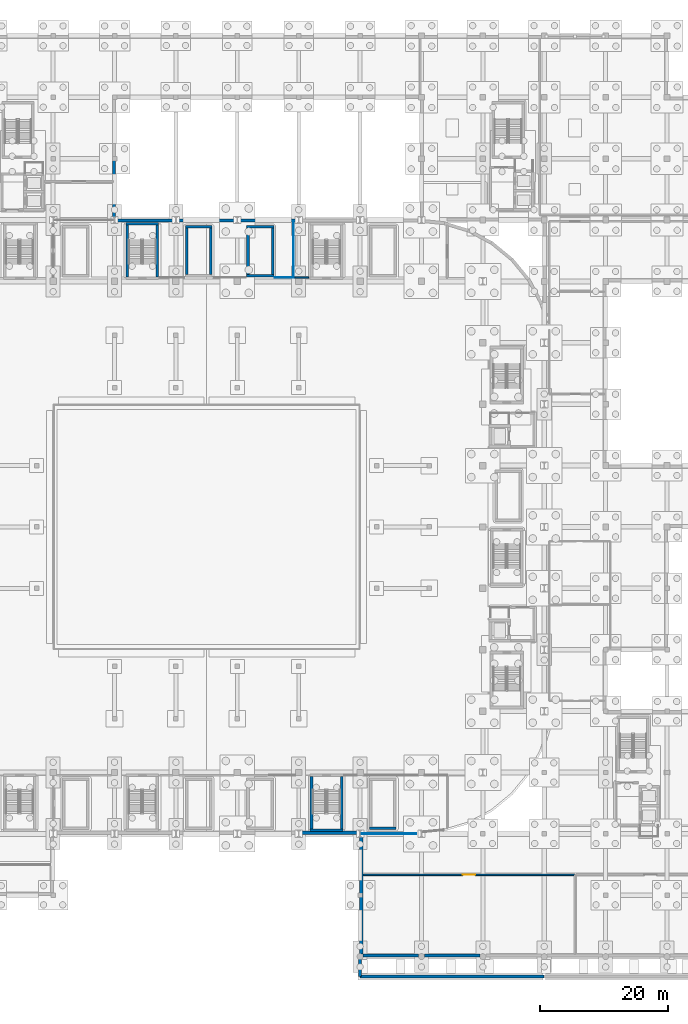
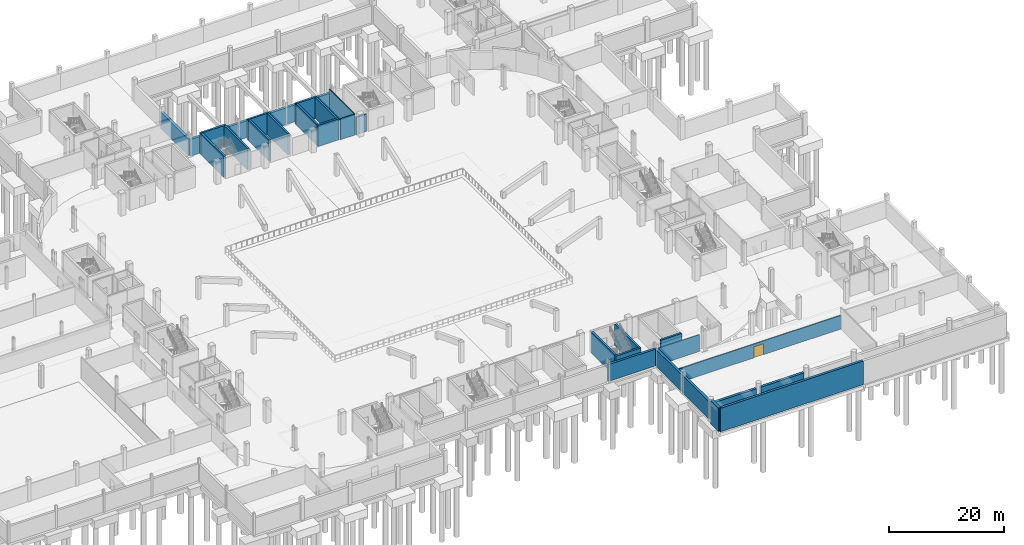
# One storey, part 31 of 67: 30 walls, 1 door, 1 opening.
"""IFC4 building model written with IfcOpenShell, lengths in metres."""

from ifc_helpers import new_model, si_unit, direction, frame, frame_2d, origin, place, context, subcontext, project, spatial, rectangle, extrude, material, layer, layer_set, type_object, element, fill, save


model = new_model("IFC4")

# Units and contexts
model_context = context("Model", 3, precision=1e-05, world=origin(), true_north=direction((0.0, 1.0)))
body_context = subcontext(model_context, "Body", "Model", "MODEL_VIEW")
ifc_project = project(units=[si_unit("LENGTHUNIT", "METRE"), si_unit("AREAUNIT", "SQUARE_METRE"), si_unit("VOLUMEUNIT", "CUBIC_METRE"), si_unit("PLANEANGLEUNIT", "RADIAN"), si_unit("MASSUNIT", "GRAM", prefix="KILO")], contexts=[model_context])

# Site, building, storey
site_placement = place(None, origin())
site = spatial("IfcSite", under=ifc_project, at=site_placement, CompositionType="ELEMENT")
building_placement = place(site_placement, origin())
building = spatial("IfcBuilding", under=site, at=building_placement, Name="Caelomonte Colonnade Arena", CompositionType="ELEMENT")
storey_placement = place(building_placement, frame((0.0, 0.0, -4.800048828125)))
storey = spatial("IfcBuildingStorey", under=building, at=storey_placement, Name="B1", CompositionType="ELEMENT", Elevation=-4.800048828125)

# Walls
ifc_material_1 = material(Name="Concrete C40/50", Category="concrete")
ifc_layer_1 = layer(ifc_material_1, 0.47998046875)
ifc_layer_set_1 = layer_set([ifc_layer_1], Name="Concrete C40/50")
wall_type_1 = type_object("IfcWallType", Name="ENV-WL-RET48", PredefinedType="USERDEFINED", material=ifc_layer_set_1)
wall_1_placement = place(storey_placement, frame((134.39990234375, -3.10009765625, -0.449951171875), z_axis=(0.0, 0.0, 1.0), x_axis=(0.0, 1.0, 0.0)))
element("IfcWall", 1, at=wall_1_placement, inside=storey, type_object=wall_type_1, Name="Portico forecourt stepped retaining plinth wall RW-V3-PLINTH-W", ObjectType="RETAINING WALL", PredefinedType="USERDEFINED", context=body_context, shape_type="SweptSolid", body=[
    extrude(rectangle(XDim=2.85009765625, YDim=0.47998046875, at=frame_2d((1.425048828125, 0.0))), origin(), (0.0, 0.0, 1.0), 5.030029296875),
])
wall_2_placement = place(storey_placement, frame((134.39990234375, -3.10009765625, -0.449951171875), z_axis=(0.0, 0.0, 1.0), x_axis=(1.0, 0.0, 0.0)))
element("IfcWall", 2, at=wall_2_placement, inside=storey, type_object=wall_type_1, Name="Portico forecourt stepped retaining plinth wall RW-V3-PLINTH-S1", ObjectType="RETAINING WALL", PredefinedType="USERDEFINED", context=body_context, shape_type="SweptSolid", body=[
    extrude(rectangle(XDim=28.800048828125, YDim=0.47998046875, at=frame_2d((14.39990234375, 0.0))), origin(), (0.0, 0.0, 1.0), 5.030029296875),
])
wall_3_placement = place(storey_placement, frame((124.800048828125, 19.3798828125, 0.0), z_axis=(0.0, 0.0, 1.0), x_axis=(1.0, 0.0, 0.0)))
element("IfcWall", 3, at=wall_3_placement, inside=storey, type_object=wall_type_1, Name="B1 exterior retaining plinth wall EW-B1-0016", ObjectType="RETAINING WALL", PredefinedType="USERDEFINED", context=body_context, shape_type="SweptSolid", body=[
    extrude(rectangle(XDim=9.599853515625, YDim=0.47998046875, at=frame_2d((4.7998046875, 0.0))), origin(), (0.0, 0.0, 1.0), 3.572998046875),
])
wall_4_placement = place(storey_placement, frame((134.580078125, 19.550048828125, 0.0), z_axis=(0.0, 0.0, 1.0), x_axis=(0.0, -1.0, 0.0)))
element("IfcWall", 4, at=wall_4_placement, inside=storey, type_object=wall_type_1, Name="B1 exterior retaining plinth wall EW-B1-0017", ObjectType="RETAINING WALL", PredefinedType="USERDEFINED", context=body_context, shape_type="SweptSolid", body=[
    extrude(rectangle(XDim=9.949951171875, YDim=0.47998046875, at=frame_2d((4.97509765625, 0.0))), origin(), (0.0, 0.0, 1.0), 3.572998046875),
])
wall_5_placement = place(storey_placement, frame((134.580078125, 9.60009765625, 0.0), z_axis=(0.0, 0.0, 1.0), x_axis=(0.0, -1.0, 0.0)))
element("IfcWall", 5, at=wall_5_placement, inside=storey, type_object=wall_type_1, Name="B1 exterior retaining plinth wall EW-B1-0018", ObjectType="RETAINING WALL", PredefinedType="USERDEFINED", context=body_context, shape_type="SweptSolid", body=[
    extrude(rectangle(XDim=9.14501953125, YDim=0.47998046875, at=frame_2d((4.572509765625, 0.0))), origin(), (0.0, 0.0, 1.0), 3.699951171875),
])
for number, where, z_axis, x_axis, name in (
    (6, (134.85498046875, 0.179931640625, 0.0), (0.0, 0.0, 1.0), (1.0, 0.0, 0.0), "B1 exterior retaining plinth wall EW-B1-0019"),
    (7, (144.455078125, 0.179931640625, 0.0), (0.0, 0.0, 1.0), (1.0, 0.0, 0.0), "B1 exterior retaining plinth wall EW-B1-0020"),
):
    element("IfcWall", number, at=place(storey_placement, frame(where, z_axis=z_axis, x_axis=x_axis)), inside=storey, type_object=wall_type_1, Name=name, ObjectType="RETAINING WALL", PredefinedType="USERDEFINED", context=body_context, shape_type="SweptSolid", body=[
        extrude(rectangle(XDim=8.68994140625, YDim=0.47998046875, at=frame_2d((4.344970703125, 0.0))), origin(), (0.0, 0.0, 1.0), 3.572998046875),
    ])
wall_6_placement = place(storey_placement, frame((124.800048828125, 115.1201171875, 0.0), z_axis=(0.0, 0.0, 1.0), x_axis=(-1.0, 0.0, 0.0)))
element("IfcWall", 8, at=wall_6_placement, inside=storey, type_object=wall_type_1, Name="B1 exterior retaining plinth wall EW-B1-0105", ObjectType="RETAINING WALL", PredefinedType="USERDEFINED", context=body_context, shape_type="SweptSolid", body=[
    extrude(rectangle(XDim=9.60009765625, YDim=0.47998046875, at=frame_2d((4.800048828125, 0.0))), origin(), (0.0, 0.0, 1.0), 3.572998046875),
])
wall_7_placement = place(storey_placement, frame((115.199951171875, 115.1201171875, 0.0), z_axis=(0.0, 0.0, 1.0), x_axis=(-1.0, 0.0, 0.0)))
element("IfcWall", 9, at=wall_7_placement, inside=storey, type_object=wall_type_1, Name="B1 exterior retaining plinth wall EW-B1-0106", ObjectType="RETAINING WALL", PredefinedType="USERDEFINED", context=body_context, shape_type="SweptSolid", body=[
    extrude(rectangle(XDim=9.599853515625, YDim=0.47998046875, at=frame_2d((4.7998046875, 0.0))), origin(), (0.0, 0.0, 1.0), 3.572998046875),
])
for number, where, z_axis, x_axis, name in (
    (10, (105.60009765625, 115.1201171875, 0.0), (0.0, 0.0, 1.0), (-1.0, 0.0, 0.0), "B1 exterior retaining plinth wall EW-B1-0107"),
    (11, (95.919921875, 115.199951171875, 0.0), (0.0, 0.0, 1.0), (0.0, 1.0, 0.0), "B1 exterior retaining plinth wall EW-B1-0108"),
):
    element("IfcWall", number, at=place(storey_placement, frame(where, z_axis=z_axis, x_axis=x_axis)), inside=storey, type_object=wall_type_1, Name=name, ObjectType="RETAINING WALL", PredefinedType="USERDEFINED", context=body_context, shape_type="SweptSolid", body=[
        extrude(rectangle(XDim=9.60009765625, YDim=0.47998046875, at=frame_2d((4.800048828125, 0.0))), origin(), (0.0, 0.0, 1.0), 3.572998046875),
    ])
ifc_material_2 = material(Name="Office gypsum stud partition")
ifc_layer_2 = layer(ifc_material_2, 0.1201171875)
ifc_layer_set_2 = layer_set([ifc_layer_2], Name="Office gypsum stud partition")
wall_type_2 = type_object("IfcWallType", Name="INT-WL-PT12", PredefinedType="PARTITIONING", material=ifc_layer_set_2)
wall_8_placement = place(storey_placement, frame((124.0, 114.97998046875, 0.0), z_axis=(0.0, 0.0, 1.0), x_axis=(0.0, -1.0, 0.0)))
element("IfcWall", 12, at=wall_8_placement, inside=storey, type_object=wall_type_2, Name="B1 Backstage Rigging Staging partition 13", PredefinedType="PARTITIONING", context=body_context, shape_type="SweptSolid", body=[
    extrude(rectangle(XDim=8.780029296875, YDim=0.1201171875, at=frame_2d((4.39013671875, 0.0))), origin(), (0.0, 0.0, 1.0), 4.5),
])
wall_9_placement = place(storey_placement, frame((124.0, 106.199951171875, 0.0), z_axis=(0.0, 0.0, 1.0), x_axis=(-1.0, 0.0, 0.0)))
element("IfcWall", 13, at=wall_9_placement, inside=storey, type_object=wall_type_2, Name="B1 Backstage Rigging Staging partition 14", PredefinedType="PARTITIONING", context=body_context, shape_type="SweptSolid", body=[
    extrude(rectangle(XDim=2.91064453125, YDim=0.1201171875, at=frame_2d((1.455322265625, 0.0))), origin(), (0.0, 0.0, 1.0), 4.5),
])
ifc_material_3 = material(Name="Suite demising stud partition")
ifc_layer_3 = layer(ifc_material_3, 0.139892578125)
ifc_layer_set_3 = layer_set([ifc_layer_3], Name="Suite demising stud partition")
wall_type_3 = type_object("IfcWallType", Name="INT-WL-PT14", PredefinedType="PARTITIONING", material=ifc_layer_set_3)
wall_10_placement = place(storey_placement, frame((143.179931640625, 19.199951171875, 0.0), z_axis=(0.0, 0.0, 1.0), x_axis=(-1.0, 0.0, 0.0)))
element("IfcWall", 14, at=wall_10_placement, inside=storey, type_object=wall_type_3, Name="B1 Officials Locker Suite partition 12", PredefinedType="PARTITIONING", context=body_context, shape_type="SweptSolid", body=[
    extrude(rectangle(XDim=8.531494140625, YDim=0.139892578125, at=frame_2d((4.265625, 0.0))), origin(), (0.0, 0.0, 1.0), 3.572998046875),
])
ifc_material_4 = material(Name="Acoustic masonry blockwork", Category="masonry")
ifc_layer_4 = layer(ifc_material_4, 0.219970703125)
ifc_layer_set_4 = layer_set([ifc_layer_4], Name="Acoustic masonry blockwork")
wall_type_4 = type_object("IfcWallType", Name="INT-WL-PT22", PredefinedType="PARTITIONING", material=ifc_layer_set_4)
wall_11_placement = place(storey_placement, frame((126.35009765625, 106.199951171875, 0.0), z_axis=(0.0, 0.0, 1.0), x_axis=(-1.0, 0.0, 0.0)))
element("IfcWall", 15, at=wall_11_placement, inside=storey, type_object=wall_type_4, Name="B1 Court Equipment Store partition 20", PredefinedType="PARTITIONING", context=body_context, shape_type="SweptSolid", body=[
    extrude(rectangle(XDim=2.150146484375, YDim=0.219970703125, at=frame_2d((1.0751953125, 0.0))), origin(), (0.0, 0.0, 1.0), 3.699951171875),
])

# Wall, opening, door
wall_12_placement = place(storey_placement, frame((134.800048828125, 12.800048828125, 0.0), z_axis=(0.0, 0.0, 1.0), x_axis=(1.0, 0.0, 0.0)))
wall_12 = element("IfcWall", 16, at=wall_12_placement, inside=storey, type_object=wall_type_4, Name="B1 Firewater and Rainwater Cistern Hall partition 36", PredefinedType="PARTITIONING", context=body_context, shape_type="SweptSolid", body=[
    extrude(rectangle(XDim=33.199951171875, YDim=0.219970703125, at=frame_2d((16.60009765625, 0.0))), origin(), (0.0, 0.0, 1.0), 2.900146484375),
])
opening_placement = place(wall_12_placement, frame((15.625, 0.0, 0.0), z_axis=(0.0, 0.0, 1.0), x_axis=(1.0, 0.0, 0.0)))
opening = element("IfcOpeningElement", 17, at=opening_placement, cuts=wall_12, Name="Opening D-B1-009", PredefinedType="OPENING", context=body_context, shape_type="SweptSolid", body=[
    extrude(rectangle(XDim=1.949951171875, YDim=2.35009765625, at=frame_2d((0.97509765625, 1.175048828125))), frame((0.0, 0.119873046875, 0.0), z_axis=(0.0, -1.0, 0.0), x_axis=(1.0, 0.0, 0.0)), (0.0, 0.0, 1.0), 0.239990234375),
])
ifc_material_5 = material(Name="Double hollow-metal plant room door")
door_type = type_object("IfcDoorType", Name="INT-DR-PLT", OperationType="DOUBLE_DOOR_SINGLE_SWING", PredefinedType="DOOR", material=ifc_material_5)
door_placement = place(opening_placement, origin())
door = element("IfcDoor", 18, at=door_placement, inside=storey, type_object=door_type, Name="B1 Firewater and Rainwater Cistern Hall door D-B1-009", OperationType="DOUBLE_DOOR_SINGLE_SWING", OverallHeight=2.35009765625, OverallWidth=1.949951171875, PredefinedType="DOOR", context=body_context, shape_type="SweptSolid", body=[
    extrude(rectangle(XDim=1.949951171875, YDim=2.35009765625, at=frame_2d((0.97509765625, 1.175048828125))), frame((0.0, 0.02490234375, 0.0), z_axis=(0.0, -1.0, 0.0), x_axis=(1.0, 0.0, 0.0)), (0.0, 0.0, 1.0), 0.050048828125),
])
fill(opening, door)

# Walls
ifc_material_6 = material(Name="Concrete C50/60", Category="concrete")
ifc_layer_5 = layer(ifc_material_6, 0.39990234375)
ifc_layer_set_5 = layer_set([ifc_layer_5], Name="Concrete C50/60")
wall_type_5 = type_object("IfcWallType", Name="INT-WL-SH40", PredefinedType="SHEAR", material=ifc_layer_set_5)
wall_13_placement = place(storey_placement, frame((126.60009765625, 19.800048828125, 0.0), z_axis=(0.0, 0.0, 1.0), x_axis=(1.0, 0.0, 0.0)))
element("IfcWall", 19, at=wall_13_placement, inside=storey, type_object=wall_type_5, Name="CW-ST-13 B1 south enclosure wall", PredefinedType="SHEAR", context=body_context, shape_type="SweptSolid", body=[
    extrude(rectangle(XDim=5.099853515625, YDim=0.39990234375, at=frame_2d((2.5498046875, 0.0))), origin(), (0.0, 0.0, 1.0), 4.5),
])
for number, where, z_axis, x_axis, name in (
    (20, (126.800048828125, 28.14990234375, 0.0), (0.0, 0.0, 1.0), (0.0, -1.0, 0.0), "CW-ST-13 B1 west enclosure wall"),
    (21, (131.5, 20.0, 0.0), (0.0, 0.0, 1.0), (0.0, 1.0, 0.0), "CW-ST-13 B1 east enclosure wall"),
):
    element("IfcWall", number, at=place(storey_placement, frame(where, z_axis=z_axis, x_axis=x_axis)), inside=storey, type_object=wall_type_5, Name=name, PredefinedType="SHEAR", context=body_context, shape_type="SweptSolid", body=[
        extrude(rectangle(XDim=8.14990234375, YDim=0.39990234375, at=frame_2d((4.074951171875, 0.0))), origin(), (0.0, 0.0, 1.0), 4.5),
    ])
wall_14_placement = place(storey_placement, frame((102.89990234375, 114.64990234375, 0.0), z_axis=(0.0, 0.0, 1.0), x_axis=(-1.0, 0.0, 0.0)))
element("IfcWall", 22, at=wall_14_placement, inside=storey, type_object=wall_type_5, Name="CW-ST-15 B1 north enclosure wall", PredefinedType="SHEAR", context=body_context, shape_type="SweptSolid", body=[
    extrude(rectangle(XDim=5.099853515625, YDim=0.39990234375, at=frame_2d((2.5498046875, 0.0))), origin(), (0.0, 0.0, 1.0), 4.5),
])
for number, where, z_axis, x_axis, name in (
    (23, (98.0, 114.449951171875, 0.0), (0.0, 0.0, 1.0), (0.0, -1.0, 0.0), "CW-ST-15 B1 west enclosure wall"),
    (24, (102.699951171875, 106.300048828125, 0.0), (0.0, 0.0, 1.0), (0.0, 1.0, 0.0), "CW-ST-15 B1 east enclosure wall"),
):
    element("IfcWall", number, at=place(storey_placement, frame(where, z_axis=z_axis, x_axis=x_axis)), inside=storey, type_object=wall_type_5, Name=name, PredefinedType="SHEAR", context=body_context, shape_type="SweptSolid", body=[
        extrude(rectangle(XDim=8.14990234375, YDim=0.39990234375, at=frame_2d((4.074951171875, 0.0))), origin(), (0.0, 0.0, 1.0), 4.5),
    ])
for number, where, z_axis, x_axis, name in (
    (25, (135.8701171875, 20.070068359375, 0.0), (0.0, 0.0, 1.0), (1.0, 0.0, 0.0), "CW-ST-V04 B1 south enclosure wall"),
    (26, (111.22998046875, 114.1298828125, 0.0), (0.0, 0.0, 1.0), (-1.0, 0.0, 0.0), "CW-ST-V06 B1 north enclosure wall"),
):
    element("IfcWall", number, at=place(storey_placement, frame(where, z_axis=z_axis, x_axis=x_axis)), inside=storey, type_object=wall_type_5, Name=name, PredefinedType="SHEAR", context=body_context, shape_type="SweptSolid", body=[
        extrude(rectangle(XDim=4.159912109375, YDim=0.39990234375, at=frame_2d((2.080078125, 0.0))), origin(), (0.0, 0.0, 1.0), 4.5),
    ])
for number, where, z_axis, x_axis, name in (
    (27, (107.27001953125, 113.929931640625, 0.0), (0.0, 0.0, 1.0), (0.0, -1.0, 0.0), "CW-ST-V06 B1 west enclosure wall"),
    (28, (111.030029296875, 106.669921875, 0.0), (0.0, 0.0, 1.0), (0.0, 1.0, 0.0), "CW-ST-V06 B1 east enclosure wall"),
):
    element("IfcWall", number, at=place(storey_placement, frame(where, z_axis=z_axis, x_axis=x_axis)), inside=storey, type_object=wall_type_5, Name=name, PredefinedType="SHEAR", context=body_context, shape_type="SweptSolid", body=[
        extrude(rectangle(XDim=7.260009765625, YDim=0.39990234375, at=frame_2d((3.6298828125, 0.0))), origin(), (0.0, 0.0, 1.0), 4.5),
    ])
for number, where, z_axis, x_axis, name in (
    (29, (116.669921875, 106.469970703125, 0.0), (0.0, 0.0, 1.0), (1.0, 0.0, 0.0), "CW-ST-V15 B1 south enclosure wall"),
    (30, (120.929931640625, 114.1298828125, 0.0), (0.0, 0.0, 1.0), (-1.0, 0.0, 0.0), "CW-ST-V15 B1 north enclosure wall"),
):
    element("IfcWall", number, at=place(storey_placement, frame(where, z_axis=z_axis, x_axis=x_axis)), inside=storey, type_object=wall_type_5, Name=name, PredefinedType="SHEAR", context=body_context, shape_type="SweptSolid", body=[
        extrude(rectangle(XDim=4.260009765625, YDim=0.39990234375, at=frame_2d((2.1298828125, 0.0))), origin(), (0.0, 0.0, 1.0), 4.5),
    ])
for number, where, z_axis, x_axis, name in (
    (31, (116.8701171875, 113.929931640625, 0.0), (0.0, 0.0, 1.0), (0.0, -1.0, 0.0), "CW-ST-V15 B1 west enclosure wall"),
    (32, (120.72998046875, 106.669921875, 0.0), (0.0, 0.0, 1.0), (0.0, 1.0, 0.0), "CW-ST-V15 B1 east enclosure wall"),
):
    element("IfcWall", number, at=place(storey_placement, frame(where, z_axis=z_axis, x_axis=x_axis)), inside=storey, type_object=wall_type_5, Name=name, PredefinedType="SHEAR", context=body_context, shape_type="SweptSolid", body=[
        extrude(rectangle(XDim=7.260009765625, YDim=0.39990234375, at=frame_2d((3.6298828125, 0.0))), origin(), (0.0, 0.0, 1.0), 4.5),
    ])

save(model, "model.ifc")
